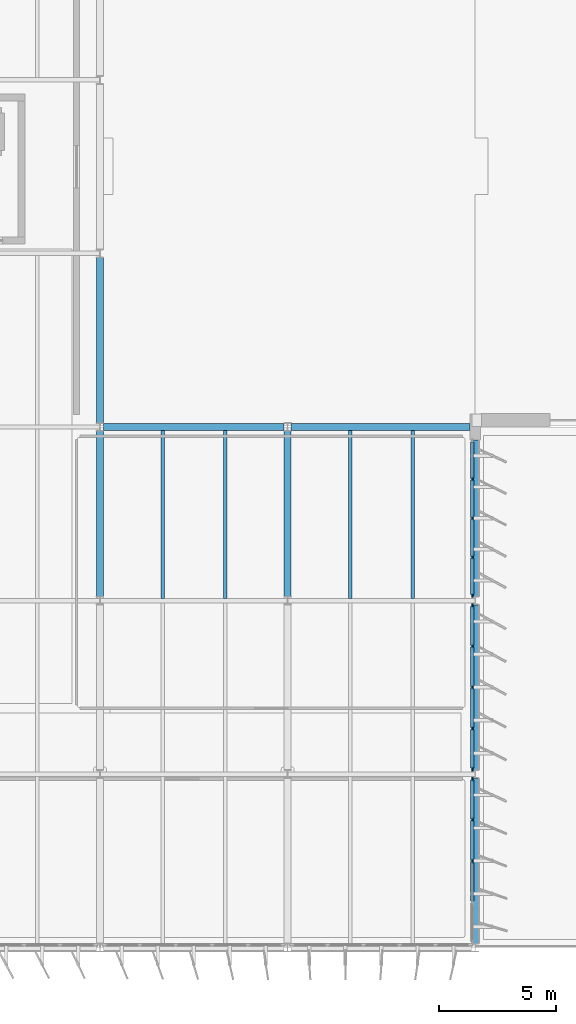
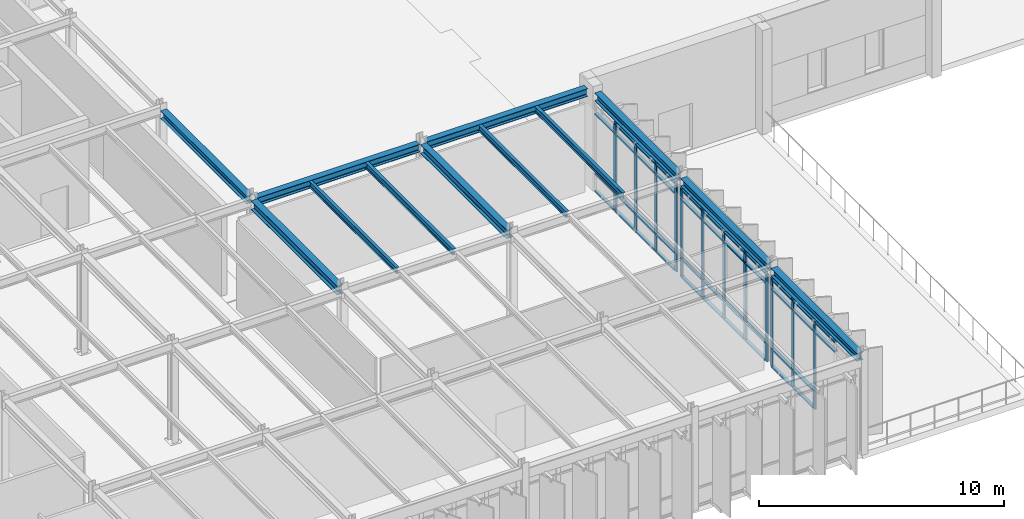
# One storey, part 20 of 48: 53 members, 12 beams, 3 elements without a shape of their own.
"""IFC4 building model written with IfcOpenShell, lengths in metres."""

import ifcopenshell
import ifcopenshell.guid

model = None  # the IFC model being written
_history = None  # IfcOwnerHistory: only IFC2X3 demands one
_inside = {}  # id of a spatial element -> (the spatial element, [elements in it])
_under = {}  # id of a project, library or spatial element -> (it, [spatial elements below it])
_declared = {}  # id of a project -> (the project, [libraries it declares])
_typed = {}  # id of a type object -> (the type object, [elements of that type])
_made_of = {}  # id of a material, layer set ... -> (it, [elements and type objects made of it])


def new_model(schema):
    """Start an empty IFC model of exactly this schema.

    Asked for "IFC4X3", IfcOpenShell would pick the latest addendum, in which some entities
    have other attributes; the version numbers below select the first issue.
    IFC2X3 requires an IfcOwnerHistory on every rooted entity: one is made here for all.
    """
    global model, _history
    if schema == "IFC4X3":
        model = ifcopenshell.file(schema_version=(4, 3, 0, 0))
    else:
        model = ifcopenshell.file(schema=schema)
    _inside.clear()
    _under.clear()
    _declared.clear()
    _typed.clear()
    _made_of.clear()
    _history = None
    if model.schema == "IFC2X3":
        org = make("IfcOrganization", Name="unknown")
        user = make(
            "IfcPersonAndOrganization",
            ThePerson=make("IfcPerson", FamilyName="unknown"),
            TheOrganization=org,
        )
        app = make(
            "IfcApplication",
            ApplicationDeveloper=org,
            Version="unknown",
            ApplicationFullName="unknown",
            ApplicationIdentifier="unknown",
        )
        _history = make(
            "IfcOwnerHistory",
            OwningUser=user,
            OwningApplication=app,
            ChangeAction="ADDED",
            CreationDate=0,
        )
    return model


def make(cls, **values):
    """One entity of the class cls with the attributes given. An attribute that is None is left unset."""
    return model.create_entity(
        cls, **{name: value for name, value in values.items() if value is not None}
    )


def rooted(cls, **values):
    """An entity with a GlobalId (a new one), such as an element, a storey or a relation."""
    return make(cls, GlobalId=ifcopenshell.guid.new(), OwnerHistory=_history, **values)


def si_unit(unit_type, name, prefix=None):
    """IfcSIUnit, for example si_unit("LENGTHUNIT", "METRE", prefix="MILLI")."""
    return make("IfcSIUnit", UnitType=unit_type, Prefix=prefix, Name=name)


def assignment(units):
    """IfcUnitAssignment: the units of a project."""
    return None if units is None else make("IfcUnitAssignment", Units=units)


def point(xyz):
    """IfcCartesianPoint."""
    return None if xyz is None else make("IfcCartesianPoint", Coordinates=xyz)


def direction(xyz):
    """IfcDirection."""
    return None if xyz is None else make("IfcDirection", DirectionRatios=xyz)


def frame(location, z_axis=None, x_axis=None):
    """IfcAxis2Placement3D, a coordinate frame: its origin and axes. An axis left out is left unset."""
    return make(
        "IfcAxis2Placement3D",
        Location=point(location),
        Axis=direction(z_axis),
        RefDirection=direction(x_axis),
    )


def frame_2d(location, x_axis=None):
    """IfcAxis2Placement2D, a coordinate frame in the plane: its origin and x axis."""
    return make(
        "IfcAxis2Placement2D", Location=point(location), RefDirection=direction(x_axis)
    )


def origin():
    """The frame at (0, 0, 0) with its axes left unset."""
    return frame((0.0, 0.0, 0.0))


def origin_2d():
    """The frame at (0, 0) in the plane with its x axis left unset."""
    return frame_2d((0.0, 0.0))


def place(relative_to, where):
    """IfcLocalPlacement: puts the frame where relative to a parent placement (None: the world)."""
    return make(
        "IfcLocalPlacement", PlacementRelTo=relative_to, RelativePlacement=where
    )


def context(
    kind, dimensions, precision=None, world=None, true_north=None, identifier=None
):
    """IfcGeometricRepresentationContext, for example the 3D "Model" context."""
    return make(
        "IfcGeometricRepresentationContext",
        ContextIdentifier=identifier,
        ContextType=kind,
        CoordinateSpaceDimension=dimensions,
        Precision=precision,
        WorldCoordinateSystem=world,
        TrueNorth=true_north,
    )


def subcontext(parent, identifier, kind, view, scale=None):
    """IfcGeometricRepresentationSubContext, for example "Body" below "Model"."""
    return make(
        "IfcGeometricRepresentationSubContext",
        ContextIdentifier=identifier,
        ContextType=kind,
        ParentContext=parent,
        TargetScale=scale,
        TargetView=view,
    )


def project(units=None, contexts=None):
    """IfcProject with its units and contexts."""
    return rooted(
        "IfcProject",
        Name="project",
        RepresentationContexts=contexts,
        UnitsInContext=assignment(units),
    )


def spatial(cls, under=None, at=None, **own):
    """A site, building, storey or space (cls), placed at a placement, below another one or the project."""
    s = rooted(cls, ObjectPlacement=at, **own)
    if under is not None:
        _under.setdefault(under.id(), (under, []))[1].append(s)
    return s


def profile(cls, at=None, kind="AREA", **sizes):
    """A parametric profile (cls). Its sizes go by their IFC names, for example OverallWidth=200.0."""
    return make(cls, ProfileType=kind, Position=at, **sizes)


def rectangle(**sizes):
    """IfcRectangleProfileDef."""
    return profile("IfcRectangleProfileDef", **sizes)


def i_section(**sizes):
    """IfcIShapeProfileDef."""
    return profile("IfcIShapeProfileDef", **sizes)


def extrude(swept, where, along, depth):
    """IfcExtrudedAreaSolid: the profile swept, set in the frame where, extruded along a direction by depth."""
    return make(
        "IfcExtrudedAreaSolid",
        SweptArea=swept,
        Position=where,
        ExtrudedDirection=direction(along),
        Depth=depth,
    )


def shape(context_of_items, identifier, shape_type, items):
    """IfcShapeRepresentation: the items that make up one representation, for example the "Body"."""
    return make(
        "IfcShapeRepresentation",
        ContextOfItems=context_of_items,
        RepresentationIdentifier=identifier,
        RepresentationType=shape_type,
        Items=items,
    )


def material(Name=None, Category=None):
    """IfcMaterial."""
    return make("IfcMaterial", Name=Name, Category=Category)


def layer(
    of_material, thickness, ventilated=None, Name=None, Category=None, Priority=None
):
    """IfcMaterialLayer: one layer of a wall or slab, of a material (None: an air gap)."""
    return make(
        "IfcMaterialLayer",
        Material=of_material,
        LayerThickness=thickness,
        IsVentilated=ventilated,
        Name=Name,
        Category=Category,
        Priority=Priority,
    )


def layer_set(layers, Name=None):
    """IfcMaterialLayerSet."""
    return make("IfcMaterialLayerSet", MaterialLayers=layers, LayerSetName=Name)


def material_profile(
    of_material, cross_section, Name=None, Category=None, Priority=None
):
    """IfcMaterialProfile: a cross section and its material."""
    return make(
        "IfcMaterialProfile",
        Name=Name,
        Material=of_material,
        Profile=cross_section,
        Priority=Priority,
        Category=Category,
    )


def profile_set(profiles, Name=None, composite=None):
    """IfcMaterialProfileSet."""
    return make(
        "IfcMaterialProfileSet",
        Name=Name,
        MaterialProfiles=profiles,
        CompositeProfile=composite,
    )


def made_of(thing, what):
    """Note that an element or type object is made of a material, layer set ...; save() writes the relation."""
    if what is not None:
        _made_of.setdefault(what.id(), (what, []))[1].append(thing)
    return thing


def type_object(cls, material=None, **own):
    """A type object (cls), such as IfcWallType, which elements share."""
    return made_of(rooted(cls, **own), material)


def element(
    cls,
    number,
    at=None,
    inside=None,
    cuts=None,
    type_object=None,
    material=None,
    context=None,
    identifier="Body",
    shape_type=None,
    held_by="IfcProductDefinitionShape",
    body=None,
    shapes=None,
    **own,
):
    """One element of the class cls, such as IfcWall. Its Tag is "e" and its number.

    at: its placement. inside: the storey or other place that contains it. cuts: it is an
    opening in that element (IfcRelVoidsElement). A single representation is given by context,
    identifier, shape_type and body (its items); several are given by shapes. held_by: the class
    of the entity that holds the representations. save() writes the other relations.
    """
    e = rooted(cls, Tag="e%d" % number, ObjectPlacement=at, **own)
    if body is not None:
        shapes = [shape(context, identifier, shape_type, body)]
    if shapes is not None:
        e.Representation = make(held_by, Representations=shapes)
    if inside is not None:
        _inside.setdefault(inside.id(), (inside, []))[1].append(e)
    if cuts is not None:
        rooted(
            "IfcRelVoidsElement", RelatingBuildingElement=cuts, RelatedOpeningElement=e
        )
    if type_object is not None:
        _typed.setdefault(type_object.id(), (type_object, []))[1].append(e)
    return made_of(e, material)


def aggregate(whole, parts):
    """IfcRelAggregates: a whole, such as a stair, and the parts it consists of."""
    return rooted("IfcRelAggregates", RelatingObject=whole, RelatedObjects=parts)


def save(model, path):
    """Write the relations noted so far, then the file.

    IfcRelAggregates (storeys below a building ...), IfcRelContainedInSpatialStructure (elements
    in a storey), IfcRelDefinesByType, IfcRelAssociatesMaterial and IfcRelDeclares: one each for
    every whole, place, type object, material and project.
    """
    for whole, parts in _under.values():
        aggregate(whole, parts)
    for where, things in _inside.values():
        rooted(
            "IfcRelContainedInSpatialStructure",
            RelatedElements=things,
            RelatingStructure=where,
        )
    for kind, things in _typed.values():
        rooted("IfcRelDefinesByType", RelatedObjects=things, RelatingType=kind)
    for what, things in _made_of.values():
        rooted("IfcRelAssociatesMaterial", RelatedObjects=things, RelatingMaterial=what)
    for by, libraries in _declared.values():
        rooted("IfcRelDeclares", RelatingContext=by, RelatedDefinitions=libraries)
    model.write(path)


model = new_model("IFC4")

# Units and contexts
model_context = context("Model", 3, precision=1e-05, world=origin(), true_north=direction((0.0, 1.0)))
body_context = subcontext(model_context, "Body", "Model", "MODEL_VIEW")
ifc_project = project(units=[si_unit("LENGTHUNIT", "METRE"), si_unit("AREAUNIT", "SQUARE_METRE"), si_unit("VOLUMEUNIT", "CUBIC_METRE"), si_unit("PLANEANGLEUNIT", "RADIAN"), si_unit("MASSUNIT", "GRAM", prefix="KILO")], contexts=[model_context])

# Site, building, storey
site_placement = place(None, origin())
site = spatial("IfcSite", under=ifc_project, at=site_placement, CompositionType="ELEMENT")
building_placement = place(site_placement, origin())
building = spatial("IfcBuilding", under=site, at=building_placement, Name="Valkorina Park Police Headquarters", CompositionType="ELEMENT")
storey_placement = place(building_placement, frame((0.0, 0.0, 18.10009765625)))
storey = spatial("IfcBuildingStorey", under=building, at=storey_placement, Name="L05", CompositionType="ELEMENT", Elevation=18.10009765625)

# Beams
ifc_material_1 = material(Name="Steel S355", Category="steel")
ifc_material_profile_1 = material_profile(ifc_material_1, i_section(OverallWidth=0.300048828125, OverallDepth=0.389892578125, WebThickness=0.010986328125, FlangeThickness=0.01904296875, FilletRadius=0.027099609375, at=origin_2d()), Name="HEA 400")
ifc_profile_set_1 = profile_set([ifc_material_profile_1], Name="Steel S355")
beam_type_1 = type_object("IfcBeamType", Name="BM-S355-HEA400-SPN", PredefinedType="SPANDREL", material=ifc_profile_set_1)
beam_1_placement = place(storey_placement, frame((96.949951171875, 59.199951171875, 4.6748046875), z_axis=(1.0, 0.0, 0.0), x_axis=(0.0, 1.0, 0.0)))
element("IfcBeam", 1, at=beam_1_placement, inside=storey, type_object=beam_type_1, Name="L05 Framing Beam 2499", PredefinedType="SPANDREL", context=body_context, shape_type="SweptSolid", body=[
    extrude(i_section(OverallWidth=0.300048828125, OverallDepth=0.389892578125, WebThickness=0.010986328125, FlangeThickness=0.01904296875, FilletRadius=0.027099609375, at=origin_2d()), origin(), (0.0, 0.0, 1.0), 7.699951171875),
])
beam_2_placement = place(storey_placement, frame((104.949951171875, 59.199951171875, 4.6748046875), z_axis=(1.0, 0.0, 0.0), x_axis=(0.0, 1.0, 0.0)))
element("IfcBeam", 2, at=beam_2_placement, inside=storey, type_object=beam_type_1, Name="L05 Framing Beam 2500", PredefinedType="SPANDREL", context=body_context, shape_type="SweptSolid", body=[
    extrude(i_section(OverallWidth=0.300048828125, OverallDepth=0.389892578125, WebThickness=0.010986328125, FlangeThickness=0.01904296875, FilletRadius=0.027099609375, at=origin_2d()), origin(), (0.0, 0.0, 1.0), 7.625),
])
for number, where, z_axis, x_axis, name in (
    (3, (96.800048828125, 59.3798828125, 4.6748046875), (0.0, 1.0, 0.0), (-1.0, 0.0, 0.0), "L05 Framing Beam 2587"),
    (4, (112.800048828125, 37.179931640625, 4.6748046875), (0.0, 1.0, 0.0), (-1.0, 0.0, 0.0), "L05 Framing Beam 2599"),
    (5, (112.800048828125, 44.580078125, 4.6748046875), (0.0, 1.0, 0.0), (-1.0, 0.0, 0.0), "L05 Framing Beam 2600"),
):
    element("IfcBeam", number, at=place(storey_placement, frame(where, z_axis=z_axis, x_axis=x_axis)), inside=storey, type_object=beam_type_1, Name=name, PredefinedType="SPANDREL", context=body_context, shape_type="SweptSolid", body=[
        extrude(i_section(OverallWidth=0.300048828125, OverallDepth=0.389892578125, WebThickness=0.010986328125, FlangeThickness=0.01904296875, FilletRadius=0.027099609375, at=origin_2d()), origin(), (0.0, 0.0, 1.0), 7.0400390625),
    ])
beam_3_placement = place(storey_placement, frame((112.800048828125, 51.97998046875, 4.6748046875), z_axis=(0.0, 1.0, 0.0), x_axis=(-1.0, 0.0, 0.0)))
element("IfcBeam", 6, at=beam_3_placement, inside=storey, type_object=beam_type_1, Name="L05 Framing Beam 2601", PredefinedType="SPANDREL", context=body_context, shape_type="SweptSolid", body=[
    extrude(i_section(OverallWidth=0.300048828125, OverallDepth=0.389892578125, WebThickness=0.010986328125, FlangeThickness=0.01904296875, FilletRadius=0.027099609375, at=origin_2d()), origin(), (0.0, 0.0, 1.0), 6.669921875),
])
ifc_material_profile_2 = material_profile(ifc_material_1, i_section(OverallWidth=0.300048828125, OverallDepth=0.449951171875, WebThickness=0.013916015625, FlangeThickness=0.02587890625, FilletRadius=0.027099609375, at=origin_2d()), Name="HEB 450")
ifc_profile_set_2 = profile_set([ifc_material_profile_2], Name="Steel S355")
beam_type_2 = type_object("IfcBeamType", Name="BM-S355-HEB450-BM", PredefinedType="BEAM", material=ifc_profile_set_2)
for number, where, z_axis, x_axis, name in (
    (7, (96.800048828125, 51.97998046875, 4.64501953125), (0.0, 1.0, 0.0), (-1.0, 0.0, 0.0), "L05 Framing Beam 2584"),
    (8, (104.800048828125, 51.97998046875, 4.64501953125), (0.0, 1.0, 0.0), (-1.0, 0.0, 0.0), "L05 Framing Beam 2596"),
):
    element("IfcBeam", number, at=place(storey_placement, frame(where, z_axis=z_axis, x_axis=x_axis)), inside=storey, type_object=beam_type_2, Name=name, PredefinedType="BEAM", context=body_context, shape_type="SweptSolid", body=[
        extrude(i_section(OverallWidth=0.300048828125, OverallDepth=0.449951171875, WebThickness=0.013916015625, FlangeThickness=0.02587890625, FilletRadius=0.027099609375, at=origin_2d()), origin(), (0.0, 0.0, 1.0), 7.0400390625),
    ])
ifc_material_profile_3 = material_profile(ifc_material_1, i_section(OverallWidth=0.14990234375, OverallDepth=0.300048828125, WebThickness=0.007080078125, FlangeThickness=0.0107421875, FilletRadius=0.014892578125, at=origin_2d()), Name="IPE 300")
ifc_profile_set_3 = profile_set([ifc_material_profile_3], Name="Steel S355")
beam_type_3 = type_object("IfcBeamType", Name="BM-S355-IPE300-JST", PredefinedType="JOIST", material=ifc_profile_set_3)
for number, where, z_axis, x_axis, name in (
    (9, (99.466796875, 51.89501953125, 4.719970703125), (0.0, 1.0, 0.0), (-1.0, 0.0, 0.0), "L05 Framing Beam 2585"),
    (10, (102.13330078125, 51.89501953125, 4.719970703125), (0.0, 1.0, 0.0), (-1.0, 0.0, 0.0), "L05 Framing Beam 2586"),
    (11, (107.466796875, 51.89501953125, 4.719970703125), (0.0, 1.0, 0.0), (-1.0, 0.0, 0.0), "L05 Framing Beam 2597"),
    (12, (110.13330078125, 51.89501953125, 4.719970703125), (0.0, 1.0, 0.0), (-1.0, 0.0, 0.0), "L05 Framing Beam 2598"),
):
    element("IfcBeam", number, at=place(storey_placement, frame(where, z_axis=z_axis, x_axis=x_axis)), inside=storey, type_object=beam_type_3, Name=name, PredefinedType="JOIST", context=body_context, shape_type="SweptSolid", body=[
        extrude(i_section(OverallWidth=0.14990234375, OverallDepth=0.300048828125, WebThickness=0.007080078125, FlangeThickness=0.0107421875, FilletRadius=0.014892578125, at=origin_2d()), origin(), (0.0, 0.0, 1.0), 7.155029296875),
    ])

# Curtain wall, members
ifc_material_2 = material(Name="Thermally broken aluminium AW-6060", Category="aluminium")
ifc_layer_1 = layer(ifc_material_2, 0.18994140625)
ifc_layer_set_1 = layer_set([ifc_layer_1], Name="Thermally broken aluminium AW-6060")
curtain_wall_type_1 = type_object("IfcCurtainWallType", Name="CW-V5-6650x4410", PredefinedType="NOTDEFINED", material=ifc_layer_set_1)
curtain_wall_1_placement = place(storey_placement, origin())
curtain_wall_1 = element("IfcCurtainWall", 13, at=curtain_wall_1_placement, inside=storey, type_object=curtain_wall_type_1, Name="L05 Unitised Curtain Wall 094", PredefinedType="NOTDEFINED")
ifc_material_profile_4 = material_profile(ifc_material_2, rectangle(XDim=0.070068359375, YDim=0.18994140625, at=origin_2d()), Name="CWM-02 70x190")
ifc_profile_set_4 = profile_set([ifc_material_profile_4], Name="Thermally broken aluminium AW-6060")
member_type_1 = type_object("IfcMemberType", Name="CWM-70x190", PredefinedType="MULLION", material=ifc_profile_set_4)
member_1_placement = place(storey_placement, frame((112.679931640625, 56.9775390625, 0.0), z_axis=(0.0, 0.0, 1.0), x_axis=(1.0, 0.0, 0.0)))
member_1 = element("IfcMember", 14, at=member_1_placement, type_object=member_type_1, Name="CW-V5-665-441 mullion 2", PredefinedType="MULLION", context=body_context, shape_type="SweptSolid", body=[
    extrude(rectangle(XDim=0.070068359375, YDim=0.18994140625, at=origin_2d()), origin(), (0.0, 0.0, 1.0), 4.409912109375),
])
member_2_placement = place(storey_placement, frame((112.679931640625, 55.31494140625, 0.0), z_axis=(0.0, 0.0, 1.0), x_axis=(1.0, 0.0, 0.0)))
member_2 = element("IfcMember", 15, at=member_2_placement, type_object=member_type_1, Name="CW-V5-665-441 mullion 3", PredefinedType="MULLION", context=body_context, shape_type="SweptSolid", body=[
    extrude(rectangle(XDim=0.070068359375, YDim=0.18994140625, at=origin_2d()), origin(), (0.0, 0.0, 1.0), 4.409912109375),
])
member_3_placement = place(storey_placement, frame((112.679931640625, 53.652587890625, 0.0), z_axis=(0.0, 0.0, 1.0), x_axis=(1.0, 0.0, 0.0)))
member_3 = element("IfcMember", 16, at=member_3_placement, type_object=member_type_1, Name="CW-V5-665-441 mullion 4", PredefinedType="MULLION", context=body_context, shape_type="SweptSolid", body=[
    extrude(rectangle(XDim=0.070068359375, YDim=0.18994140625, at=origin_2d()), origin(), (0.0, 0.0, 1.0), 4.409912109375),
])
member_4_placement = place(storey_placement, frame((112.679931640625, 52.02490234375, 0.0), z_axis=(0.0, 0.0, 1.0), x_axis=(1.0, 0.0, 0.0)))
member_4 = element("IfcMember", 17, at=member_4_placement, type_object=member_type_1, Name="CW-V5-665-441 mullion 5", PredefinedType="MULLION", context=body_context, shape_type="SweptSolid", body=[
    extrude(rectangle(XDim=0.070068359375, YDim=0.18994140625, at=origin_2d()), origin(), (0.0, 0.0, 1.0), 4.409912109375),
])

ifc_layer_2 = layer(ifc_material_2, 0.18994140625)
ifc_layer_set_2 = layer_set([ifc_layer_2], Name="Thermally broken aluminium AW-6060")
curtain_wall_type_2 = type_object("IfcCurtainWallType", Name="CW-V5-7020x4410", PredefinedType="NOTDEFINED", material=ifc_layer_set_2)
curtain_wall_2_placement = place(storey_placement, origin())
curtain_wall_2 = element("IfcCurtainWall", 18, at=curtain_wall_2_placement, inside=storey, type_object=curtain_wall_type_2, Name="L05 Unitised Curtain Wall 095", PredefinedType="NOTDEFINED")
member_5_placement = place(storey_placement, frame((112.679931640625, 51.574951171875, 0.0), z_axis=(0.0, 0.0, 1.0), x_axis=(1.0, 0.0, 0.0)))
member_5 = element("IfcMember", 19, at=member_5_placement, type_object=member_type_1, Name="CW-V5-702-441 mullion 1", PredefinedType="MULLION", context=body_context, shape_type="SweptSolid", body=[
    extrude(rectangle(XDim=0.070068359375, YDim=0.18994140625, at=origin_2d()), origin(), (0.0, 0.0, 1.0), 4.409912109375),
])
member_6_placement = place(storey_placement, frame((112.679931640625, 49.85498046875, 0.0), z_axis=(0.0, 0.0, 1.0), x_axis=(1.0, 0.0, 0.0)))
member_6 = element("IfcMember", 20, at=member_6_placement, type_object=member_type_1, Name="CW-V5-702-441 mullion 2", PredefinedType="MULLION", context=body_context, shape_type="SweptSolid", body=[
    extrude(rectangle(XDim=0.070068359375, YDim=0.18994140625, at=origin_2d()), origin(), (0.0, 0.0, 1.0), 4.409912109375),
])
member_7_placement = place(storey_placement, frame((112.679931640625, 48.10009765625, 0.0), z_axis=(0.0, 0.0, 1.0), x_axis=(1.0, 0.0, 0.0)))
member_7 = element("IfcMember", 21, at=member_7_placement, type_object=member_type_1, Name="CW-V5-702-441 mullion 3", PredefinedType="MULLION", context=body_context, shape_type="SweptSolid", body=[
    extrude(rectangle(XDim=0.070068359375, YDim=0.18994140625, at=origin_2d()), origin(), (0.0, 0.0, 1.0), 4.409912109375),
])
member_8_placement = place(storey_placement, frame((112.679931640625, 46.344970703125, 0.0), z_axis=(0.0, 0.0, 1.0), x_axis=(1.0, 0.0, 0.0)))
member_8 = element("IfcMember", 22, at=member_8_placement, type_object=member_type_1, Name="CW-V5-702-441 mullion 4", PredefinedType="MULLION", context=body_context, shape_type="SweptSolid", body=[
    extrude(rectangle(XDim=0.070068359375, YDim=0.18994140625, at=origin_2d()), origin(), (0.0, 0.0, 1.0), 4.409912109375),
])
member_9_placement = place(storey_placement, frame((112.679931640625, 44.625, 0.0), z_axis=(0.0, 0.0, 1.0), x_axis=(1.0, 0.0, 0.0)))
member_9 = element("IfcMember", 23, at=member_9_placement, type_object=member_type_1, Name="CW-V5-702-441 mullion 5", PredefinedType="MULLION", context=body_context, shape_type="SweptSolid", body=[
    extrude(rectangle(XDim=0.070068359375, YDim=0.18994140625, at=origin_2d()), origin(), (0.0, 0.0, 1.0), 4.409912109375),
])

curtain_wall_3_placement = place(storey_placement, origin())
curtain_wall_3 = element("IfcCurtainWall", 24, at=curtain_wall_3_placement, inside=storey, type_object=curtain_wall_type_2, Name="L05 Unitised Curtain Wall 096", PredefinedType="NOTDEFINED")
member_10_placement = place(storey_placement, frame((112.679931640625, 44.175048828125, 0.0), z_axis=(0.0, 0.0, 1.0), x_axis=(1.0, 0.0, 0.0)))
member_10 = element("IfcMember", 25, at=member_10_placement, type_object=member_type_1, Name="CW-V5-702-441 mullion 1", PredefinedType="MULLION", context=body_context, shape_type="SweptSolid", body=[
    extrude(rectangle(XDim=0.070068359375, YDim=0.18994140625, at=origin_2d()), origin(), (0.0, 0.0, 1.0), 4.409912109375),
])
member_11_placement = place(storey_placement, frame((112.679931640625, 42.455078125, 0.0), z_axis=(0.0, 0.0, 1.0), x_axis=(1.0, 0.0, 0.0)))
member_11 = element("IfcMember", 26, at=member_11_placement, type_object=member_type_1, Name="CW-V5-702-441 mullion 2", PredefinedType="MULLION", context=body_context, shape_type="SweptSolid", body=[
    extrude(rectangle(XDim=0.070068359375, YDim=0.18994140625, at=origin_2d()), origin(), (0.0, 0.0, 1.0), 4.409912109375),
])
member_12_placement = place(storey_placement, frame((112.679931640625, 40.699951171875, 0.0), z_axis=(0.0, 0.0, 1.0), x_axis=(1.0, 0.0, 0.0)))
member_12 = element("IfcMember", 27, at=member_12_placement, type_object=member_type_1, Name="CW-V5-702-441 mullion 3", PredefinedType="MULLION", context=body_context, shape_type="SweptSolid", body=[
    extrude(rectangle(XDim=0.070068359375, YDim=0.18994140625, at=origin_2d()), origin(), (0.0, 0.0, 1.0), 4.409912109375),
])

# Member
ifc_material_profile_5 = material_profile(ifc_material_2, rectangle(XDim=0.14990234375, YDim=0.070068359375, at=origin_2d()), Name="CWT-02 150x70")
ifc_profile_set_5 = profile_set([ifc_material_profile_5], Name="Thermally broken aluminium AW-6060")
member_type_2 = type_object("IfcMemberType", Name="CWT-150x70", PredefinedType="USERDEFINED", material=ifc_profile_set_5)
member_13_placement = place(storey_placement, frame((112.679931640625, 58.570068359375, 0.034912109375), z_axis=(0.0, -1.0, 0.0), x_axis=(1.0, 0.0, 0.0)))
member_13 = element("IfcMember", 28, at=member_13_placement, type_object=member_type_2, Name="CW-V5-665-441 transom 1.1", ObjectType="TRANSOM", PredefinedType="USERDEFINED", context=body_context, shape_type="SweptSolid", body=[
    extrude(rectangle(XDim=0.14990234375, YDim=0.070068359375, at=origin_2d()), origin(), (0.0, 0.0, 1.0), 1.5576171875),
])

member_14_placement = place(storey_placement, frame((112.679931640625, 58.570068359375, 0.89990234375), z_axis=(0.0, -1.0, 0.0), x_axis=(1.0, 0.0, 0.0)))
member_14 = element("IfcMember", 29, at=member_14_placement, type_object=member_type_2, Name="CW-V5-665-441 transom 1.2", ObjectType="TRANSOM", PredefinedType="USERDEFINED", context=body_context, shape_type="SweptSolid", body=[
    extrude(rectangle(XDim=0.14990234375, YDim=0.070068359375, at=origin_2d()), origin(), (0.0, 0.0, 1.0), 1.5576171875),
])

member_15_placement = place(storey_placement, frame((112.679931640625, 58.570068359375, 3.889892578125), z_axis=(0.0, -1.0, 0.0), x_axis=(1.0, 0.0, 0.0)))
member_15 = element("IfcMember", 30, at=member_15_placement, type_object=member_type_2, Name="CW-V5-665-441 transom 1.3", ObjectType="TRANSOM", PredefinedType="USERDEFINED", context=body_context, shape_type="SweptSolid", body=[
    extrude(rectangle(XDim=0.14990234375, YDim=0.070068359375, at=origin_2d()), origin(), (0.0, 0.0, 1.0), 1.5576171875),
])

member_16_placement = place(storey_placement, frame((112.679931640625, 56.9423828125, 0.034912109375), z_axis=(0.0, -1.0, 0.0), x_axis=(1.0, 0.0, 0.0)))
member_16 = element("IfcMember", 31, at=member_16_placement, type_object=member_type_2, Name="CW-V5-665-441 transom 2.1", ObjectType="TRANSOM", PredefinedType="USERDEFINED", context=body_context, shape_type="SweptSolid", body=[
    extrude(rectangle(XDim=0.14990234375, YDim=0.070068359375, at=origin_2d()), origin(), (0.0, 0.0, 1.0), 1.59228515625),
])

member_17_placement = place(storey_placement, frame((112.679931640625, 56.9423828125, 0.89990234375), z_axis=(0.0, -1.0, 0.0), x_axis=(1.0, 0.0, 0.0)))
member_17 = element("IfcMember", 32, at=member_17_placement, type_object=member_type_2, Name="CW-V5-665-441 transom 2.2", ObjectType="TRANSOM", PredefinedType="USERDEFINED", context=body_context, shape_type="SweptSolid", body=[
    extrude(rectangle(XDim=0.14990234375, YDim=0.070068359375, at=origin_2d()), origin(), (0.0, 0.0, 1.0), 1.59228515625),
])

member_18_placement = place(storey_placement, frame((112.679931640625, 56.9423828125, 3.889892578125), z_axis=(0.0, -1.0, 0.0), x_axis=(1.0, 0.0, 0.0)))
member_18 = element("IfcMember", 33, at=member_18_placement, type_object=member_type_2, Name="CW-V5-665-441 transom 2.3", ObjectType="TRANSOM", PredefinedType="USERDEFINED", context=body_context, shape_type="SweptSolid", body=[
    extrude(rectangle(XDim=0.14990234375, YDim=0.070068359375, at=origin_2d()), origin(), (0.0, 0.0, 1.0), 1.59228515625),
])

member_19_placement = place(storey_placement, frame((112.679931640625, 56.9423828125, 4.375), z_axis=(0.0, -1.0, 0.0), x_axis=(1.0, 0.0, 0.0)))
member_19 = element("IfcMember", 34, at=member_19_placement, type_object=member_type_2, Name="CW-V5-665-441 transom 2.4", ObjectType="TRANSOM", PredefinedType="USERDEFINED", context=body_context, shape_type="SweptSolid", body=[
    extrude(rectangle(XDim=0.14990234375, YDim=0.070068359375, at=origin_2d()), origin(), (0.0, 0.0, 1.0), 1.59228515625),
])

member_20_placement = place(storey_placement, frame((112.679931640625, 55.280029296875, 0.034912109375), z_axis=(0.0, -1.0, 0.0), x_axis=(1.0, 0.0, 0.0)))
member_20 = element("IfcMember", 35, at=member_20_placement, type_object=member_type_2, Name="CW-V5-665-441 transom 3.1", ObjectType="TRANSOM", PredefinedType="USERDEFINED", context=body_context, shape_type="SweptSolid", body=[
    extrude(rectangle(XDim=0.14990234375, YDim=0.070068359375, at=origin_2d()), origin(), (0.0, 0.0, 1.0), 1.592529296875),
])

member_21_placement = place(storey_placement, frame((112.679931640625, 55.280029296875, 0.89990234375), z_axis=(0.0, -1.0, 0.0), x_axis=(1.0, 0.0, 0.0)))
member_21 = element("IfcMember", 36, at=member_21_placement, type_object=member_type_2, Name="CW-V5-665-441 transom 3.2", ObjectType="TRANSOM", PredefinedType="USERDEFINED", context=body_context, shape_type="SweptSolid", body=[
    extrude(rectangle(XDim=0.14990234375, YDim=0.070068359375, at=origin_2d()), origin(), (0.0, 0.0, 1.0), 1.592529296875),
])

member_22_placement = place(storey_placement, frame((112.679931640625, 55.280029296875, 3.889892578125), z_axis=(0.0, -1.0, 0.0), x_axis=(1.0, 0.0, 0.0)))
member_22 = element("IfcMember", 37, at=member_22_placement, type_object=member_type_2, Name="CW-V5-665-441 transom 3.3", ObjectType="TRANSOM", PredefinedType="USERDEFINED", context=body_context, shape_type="SweptSolid", body=[
    extrude(rectangle(XDim=0.14990234375, YDim=0.070068359375, at=origin_2d()), origin(), (0.0, 0.0, 1.0), 1.592529296875),
])

member_23_placement = place(storey_placement, frame((112.679931640625, 55.280029296875, 4.375), z_axis=(0.0, -1.0, 0.0), x_axis=(1.0, 0.0, 0.0)))
member_23 = element("IfcMember", 38, at=member_23_placement, type_object=member_type_2, Name="CW-V5-665-441 transom 3.4", ObjectType="TRANSOM", PredefinedType="USERDEFINED", context=body_context, shape_type="SweptSolid", body=[
    extrude(rectangle(XDim=0.14990234375, YDim=0.070068359375, at=origin_2d()), origin(), (0.0, 0.0, 1.0), 1.592529296875),
])

member_24_placement = place(storey_placement, frame((112.679931640625, 53.617431640625, 0.034912109375), z_axis=(0.0, -1.0, 0.0), x_axis=(1.0, 0.0, 0.0)))
member_24 = element("IfcMember", 39, at=member_24_placement, type_object=member_type_2, Name="CW-V5-665-441 transom 4.1", ObjectType="TRANSOM", PredefinedType="USERDEFINED", context=body_context, shape_type="SweptSolid", body=[
    extrude(rectangle(XDim=0.14990234375, YDim=0.070068359375, at=origin_2d()), origin(), (0.0, 0.0, 1.0), 1.557373046875),
])

member_25_placement = place(storey_placement, frame((112.679931640625, 53.617431640625, 0.89990234375), z_axis=(0.0, -1.0, 0.0), x_axis=(1.0, 0.0, 0.0)))
member_25 = element("IfcMember", 40, at=member_25_placement, type_object=member_type_2, Name="CW-V5-665-441 transom 4.2", ObjectType="TRANSOM", PredefinedType="USERDEFINED", context=body_context, shape_type="SweptSolid", body=[
    extrude(rectangle(XDim=0.14990234375, YDim=0.070068359375, at=origin_2d()), origin(), (0.0, 0.0, 1.0), 1.557373046875),
])

member_26_placement = place(storey_placement, frame((112.679931640625, 53.617431640625, 3.889892578125), z_axis=(0.0, -1.0, 0.0), x_axis=(1.0, 0.0, 0.0)))
member_26 = element("IfcMember", 41, at=member_26_placement, type_object=member_type_2, Name="CW-V5-665-441 transom 4.3", ObjectType="TRANSOM", PredefinedType="USERDEFINED", context=body_context, shape_type="SweptSolid", body=[
    extrude(rectangle(XDim=0.14990234375, YDim=0.070068359375, at=origin_2d()), origin(), (0.0, 0.0, 1.0), 1.557373046875),
])

member_27_placement = place(storey_placement, frame((112.679931640625, 53.617431640625, 4.375), z_axis=(0.0, -1.0, 0.0), x_axis=(1.0, 0.0, 0.0)))
member_27 = element("IfcMember", 42, at=member_27_placement, type_object=member_type_2, Name="CW-V5-665-441 transom 4.4", ObjectType="TRANSOM", PredefinedType="USERDEFINED", context=body_context, shape_type="SweptSolid", body=[
    extrude(rectangle(XDim=0.14990234375, YDim=0.070068359375, at=origin_2d()), origin(), (0.0, 0.0, 1.0), 1.557373046875),
])

aggregate(curtain_wall_1, [member_1, member_2, member_3, member_4, member_13, member_14, member_15, member_16, member_17, member_18, member_19, member_20, member_21, member_22, member_23, member_24, member_25, member_26, member_27])

member_28_placement = place(storey_placement, frame((112.679931640625, 51.5400390625, 0.034912109375), z_axis=(0.0, -1.0, 0.0), x_axis=(1.0, 0.0, 0.0)))
member_28 = element("IfcMember", 43, at=member_28_placement, type_object=member_type_2, Name="CW-V5-702-441 transom 1.1", ObjectType="TRANSOM", PredefinedType="USERDEFINED", context=body_context, shape_type="SweptSolid", body=[
    extrude(rectangle(XDim=0.14990234375, YDim=0.070068359375, at=origin_2d()), origin(), (0.0, 0.0, 1.0), 1.650146484375),
])

member_29_placement = place(storey_placement, frame((112.679931640625, 51.5400390625, 0.89990234375), z_axis=(0.0, -1.0, 0.0), x_axis=(1.0, 0.0, 0.0)))
member_29 = element("IfcMember", 44, at=member_29_placement, type_object=member_type_2, Name="CW-V5-702-441 transom 1.2", ObjectType="TRANSOM", PredefinedType="USERDEFINED", context=body_context, shape_type="SweptSolid", body=[
    extrude(rectangle(XDim=0.14990234375, YDim=0.070068359375, at=origin_2d()), origin(), (0.0, 0.0, 1.0), 1.650146484375),
])

member_30_placement = place(storey_placement, frame((112.679931640625, 51.5400390625, 3.889892578125), z_axis=(0.0, -1.0, 0.0), x_axis=(1.0, 0.0, 0.0)))
member_30 = element("IfcMember", 45, at=member_30_placement, type_object=member_type_2, Name="CW-V5-702-441 transom 1.3", ObjectType="TRANSOM", PredefinedType="USERDEFINED", context=body_context, shape_type="SweptSolid", body=[
    extrude(rectangle(XDim=0.14990234375, YDim=0.070068359375, at=origin_2d()), origin(), (0.0, 0.0, 1.0), 1.650146484375),
])

member_31_placement = place(storey_placement, frame((112.679931640625, 51.5400390625, 4.375), z_axis=(0.0, -1.0, 0.0), x_axis=(1.0, 0.0, 0.0)))
member_31 = element("IfcMember", 46, at=member_31_placement, type_object=member_type_2, Name="CW-V5-702-441 transom 1.4", ObjectType="TRANSOM", PredefinedType="USERDEFINED", context=body_context, shape_type="SweptSolid", body=[
    extrude(rectangle(XDim=0.14990234375, YDim=0.070068359375, at=origin_2d()), origin(), (0.0, 0.0, 1.0), 1.650146484375),
])

member_32_placement = place(storey_placement, frame((112.679931640625, 49.820068359375, 0.034912109375), z_axis=(0.0, -1.0, 0.0), x_axis=(1.0, 0.0, 0.0)))
member_32 = element("IfcMember", 47, at=member_32_placement, type_object=member_type_2, Name="CW-V5-702-441 transom 2.1", ObjectType="TRANSOM", PredefinedType="USERDEFINED", context=body_context, shape_type="SweptSolid", body=[
    extrude(rectangle(XDim=0.14990234375, YDim=0.070068359375, at=origin_2d()), origin(), (0.0, 0.0, 1.0), 1.68505859375),
])

member_33_placement = place(storey_placement, frame((112.679931640625, 49.820068359375, 0.89990234375), z_axis=(0.0, -1.0, 0.0), x_axis=(1.0, 0.0, 0.0)))
member_33 = element("IfcMember", 48, at=member_33_placement, type_object=member_type_2, Name="CW-V5-702-441 transom 2.2", ObjectType="TRANSOM", PredefinedType="USERDEFINED", context=body_context, shape_type="SweptSolid", body=[
    extrude(rectangle(XDim=0.14990234375, YDim=0.070068359375, at=origin_2d()), origin(), (0.0, 0.0, 1.0), 1.68505859375),
])

member_34_placement = place(storey_placement, frame((112.679931640625, 49.820068359375, 3.889892578125), z_axis=(0.0, -1.0, 0.0), x_axis=(1.0, 0.0, 0.0)))
member_34 = element("IfcMember", 49, at=member_34_placement, type_object=member_type_2, Name="CW-V5-702-441 transom 2.3", ObjectType="TRANSOM", PredefinedType="USERDEFINED", context=body_context, shape_type="SweptSolid", body=[
    extrude(rectangle(XDim=0.14990234375, YDim=0.070068359375, at=origin_2d()), origin(), (0.0, 0.0, 1.0), 1.68505859375),
])

member_35_placement = place(storey_placement, frame((112.679931640625, 49.820068359375, 4.375), z_axis=(0.0, -1.0, 0.0), x_axis=(1.0, 0.0, 0.0)))
member_35 = element("IfcMember", 50, at=member_35_placement, type_object=member_type_2, Name="CW-V5-702-441 transom 2.4", ObjectType="TRANSOM", PredefinedType="USERDEFINED", context=body_context, shape_type="SweptSolid", body=[
    extrude(rectangle(XDim=0.14990234375, YDim=0.070068359375, at=origin_2d()), origin(), (0.0, 0.0, 1.0), 1.68505859375),
])

member_36_placement = place(storey_placement, frame((112.679931640625, 48.06494140625, 0.034912109375), z_axis=(0.0, -1.0, 0.0), x_axis=(1.0, 0.0, 0.0)))
member_36 = element("IfcMember", 51, at=member_36_placement, type_object=member_type_2, Name="CW-V5-702-441 transom 3.1", ObjectType="TRANSOM", PredefinedType="USERDEFINED", context=body_context, shape_type="SweptSolid", body=[
    extrude(rectangle(XDim=0.14990234375, YDim=0.070068359375, at=origin_2d()), origin(), (0.0, 0.0, 1.0), 1.68505859375),
])

member_37_placement = place(storey_placement, frame((112.679931640625, 48.06494140625, 0.89990234375), z_axis=(0.0, -1.0, 0.0), x_axis=(1.0, 0.0, 0.0)))
member_37 = element("IfcMember", 52, at=member_37_placement, type_object=member_type_2, Name="CW-V5-702-441 transom 3.2", ObjectType="TRANSOM", PredefinedType="USERDEFINED", context=body_context, shape_type="SweptSolid", body=[
    extrude(rectangle(XDim=0.14990234375, YDim=0.070068359375, at=origin_2d()), origin(), (0.0, 0.0, 1.0), 1.68505859375),
])

member_38_placement = place(storey_placement, frame((112.679931640625, 48.06494140625, 3.889892578125), z_axis=(0.0, -1.0, 0.0), x_axis=(1.0, 0.0, 0.0)))
member_38 = element("IfcMember", 53, at=member_38_placement, type_object=member_type_2, Name="CW-V5-702-441 transom 3.3", ObjectType="TRANSOM", PredefinedType="USERDEFINED", context=body_context, shape_type="SweptSolid", body=[
    extrude(rectangle(XDim=0.14990234375, YDim=0.070068359375, at=origin_2d()), origin(), (0.0, 0.0, 1.0), 1.68505859375),
])

member_39_placement = place(storey_placement, frame((112.679931640625, 48.06494140625, 4.375), z_axis=(0.0, -1.0, 0.0), x_axis=(1.0, 0.0, 0.0)))
member_39 = element("IfcMember", 54, at=member_39_placement, type_object=member_type_2, Name="CW-V5-702-441 transom 3.4", ObjectType="TRANSOM", PredefinedType="USERDEFINED", context=body_context, shape_type="SweptSolid", body=[
    extrude(rectangle(XDim=0.14990234375, YDim=0.070068359375, at=origin_2d()), origin(), (0.0, 0.0, 1.0), 1.68505859375),
])

member_40_placement = place(storey_placement, frame((112.679931640625, 46.31005859375, 0.034912109375), z_axis=(0.0, -1.0, 0.0), x_axis=(1.0, 0.0, 0.0)))
member_40 = element("IfcMember", 55, at=member_40_placement, type_object=member_type_2, Name="CW-V5-702-441 transom 4.1", ObjectType="TRANSOM", PredefinedType="USERDEFINED", context=body_context, shape_type="SweptSolid", body=[
    extrude(rectangle(XDim=0.14990234375, YDim=0.070068359375, at=origin_2d()), origin(), (0.0, 0.0, 1.0), 1.650146484375),
])

member_41_placement = place(storey_placement, frame((112.679931640625, 46.31005859375, 0.89990234375), z_axis=(0.0, -1.0, 0.0), x_axis=(1.0, 0.0, 0.0)))
member_41 = element("IfcMember", 56, at=member_41_placement, type_object=member_type_2, Name="CW-V5-702-441 transom 4.2", ObjectType="TRANSOM", PredefinedType="USERDEFINED", context=body_context, shape_type="SweptSolid", body=[
    extrude(rectangle(XDim=0.14990234375, YDim=0.070068359375, at=origin_2d()), origin(), (0.0, 0.0, 1.0), 1.650146484375),
])

member_42_placement = place(storey_placement, frame((112.679931640625, 46.31005859375, 3.889892578125), z_axis=(0.0, -1.0, 0.0), x_axis=(1.0, 0.0, 0.0)))
member_42 = element("IfcMember", 57, at=member_42_placement, type_object=member_type_2, Name="CW-V5-702-441 transom 4.3", ObjectType="TRANSOM", PredefinedType="USERDEFINED", context=body_context, shape_type="SweptSolid", body=[
    extrude(rectangle(XDim=0.14990234375, YDim=0.070068359375, at=origin_2d()), origin(), (0.0, 0.0, 1.0), 1.650146484375),
])

member_43_placement = place(storey_placement, frame((112.679931640625, 46.31005859375, 4.375), z_axis=(0.0, -1.0, 0.0), x_axis=(1.0, 0.0, 0.0)))
member_43 = element("IfcMember", 58, at=member_43_placement, type_object=member_type_2, Name="CW-V5-702-441 transom 4.4", ObjectType="TRANSOM", PredefinedType="USERDEFINED", context=body_context, shape_type="SweptSolid", body=[
    extrude(rectangle(XDim=0.14990234375, YDim=0.070068359375, at=origin_2d()), origin(), (0.0, 0.0, 1.0), 1.650146484375),
])

aggregate(curtain_wall_2, [member_5, member_6, member_7, member_8, member_9, member_28, member_29, member_30, member_31, member_32, member_33, member_34, member_35, member_36, member_37, member_38, member_39, member_40, member_41, member_42, member_43])

member_44_placement = place(storey_placement, frame((112.679931640625, 44.139892578125, 0.034912109375), z_axis=(0.0, -1.0, 0.0), x_axis=(1.0, 0.0, 0.0)))
member_44 = element("IfcMember", 59, at=member_44_placement, type_object=member_type_2, Name="CW-V5-702-441 transom 1.1", ObjectType="TRANSOM", PredefinedType="USERDEFINED", context=body_context, shape_type="SweptSolid", body=[
    extrude(rectangle(XDim=0.14990234375, YDim=0.070068359375, at=origin_2d()), origin(), (0.0, 0.0, 1.0), 1.64990234375),
])

member_45_placement = place(storey_placement, frame((112.679931640625, 44.139892578125, 0.89990234375), z_axis=(0.0, -1.0, 0.0), x_axis=(1.0, 0.0, 0.0)))
member_45 = element("IfcMember", 60, at=member_45_placement, type_object=member_type_2, Name="CW-V5-702-441 transom 1.2", ObjectType="TRANSOM", PredefinedType="USERDEFINED", context=body_context, shape_type="SweptSolid", body=[
    extrude(rectangle(XDim=0.14990234375, YDim=0.070068359375, at=origin_2d()), origin(), (0.0, 0.0, 1.0), 1.64990234375),
])

member_46_placement = place(storey_placement, frame((112.679931640625, 44.139892578125, 3.889892578125), z_axis=(0.0, -1.0, 0.0), x_axis=(1.0, 0.0, 0.0)))
member_46 = element("IfcMember", 61, at=member_46_placement, type_object=member_type_2, Name="CW-V5-702-441 transom 1.3", ObjectType="TRANSOM", PredefinedType="USERDEFINED", context=body_context, shape_type="SweptSolid", body=[
    extrude(rectangle(XDim=0.14990234375, YDim=0.070068359375, at=origin_2d()), origin(), (0.0, 0.0, 1.0), 1.64990234375),
])

member_47_placement = place(storey_placement, frame((112.679931640625, 44.139892578125, 4.375), z_axis=(0.0, -1.0, 0.0), x_axis=(1.0, 0.0, 0.0)))
member_47 = element("IfcMember", 62, at=member_47_placement, type_object=member_type_2, Name="CW-V5-702-441 transom 1.4", ObjectType="TRANSOM", PredefinedType="USERDEFINED", context=body_context, shape_type="SweptSolid", body=[
    extrude(rectangle(XDim=0.14990234375, YDim=0.070068359375, at=origin_2d()), origin(), (0.0, 0.0, 1.0), 1.64990234375),
])

member_48_placement = place(storey_placement, frame((112.679931640625, 42.419921875, 0.034912109375), z_axis=(0.0, -1.0, 0.0), x_axis=(1.0, 0.0, 0.0)))
member_48 = element("IfcMember", 63, at=member_48_placement, type_object=member_type_2, Name="CW-V5-702-441 transom 2.1", ObjectType="TRANSOM", PredefinedType="USERDEFINED", context=body_context, shape_type="SweptSolid", body=[
    extrude(rectangle(XDim=0.14990234375, YDim=0.070068359375, at=origin_2d()), origin(), (0.0, 0.0, 1.0), 1.684814453125),
])

member_49_placement = place(storey_placement, frame((112.679931640625, 42.419921875, 0.89990234375), z_axis=(0.0, -1.0, 0.0), x_axis=(1.0, 0.0, 0.0)))
member_49 = element("IfcMember", 64, at=member_49_placement, type_object=member_type_2, Name="CW-V5-702-441 transom 2.2", ObjectType="TRANSOM", PredefinedType="USERDEFINED", context=body_context, shape_type="SweptSolid", body=[
    extrude(rectangle(XDim=0.14990234375, YDim=0.070068359375, at=origin_2d()), origin(), (0.0, 0.0, 1.0), 1.684814453125),
])

member_50_placement = place(storey_placement, frame((112.679931640625, 42.419921875, 3.889892578125), z_axis=(0.0, -1.0, 0.0), x_axis=(1.0, 0.0, 0.0)))
member_50 = element("IfcMember", 65, at=member_50_placement, type_object=member_type_2, Name="CW-V5-702-441 transom 2.3", ObjectType="TRANSOM", PredefinedType="USERDEFINED", context=body_context, shape_type="SweptSolid", body=[
    extrude(rectangle(XDim=0.14990234375, YDim=0.070068359375, at=origin_2d()), origin(), (0.0, 0.0, 1.0), 1.684814453125),
])

member_51_placement = place(storey_placement, frame((112.679931640625, 42.419921875, 4.375), z_axis=(0.0, -1.0, 0.0), x_axis=(1.0, 0.0, 0.0)))
member_51 = element("IfcMember", 66, at=member_51_placement, type_object=member_type_2, Name="CW-V5-702-441 transom 2.4", ObjectType="TRANSOM", PredefinedType="USERDEFINED", context=body_context, shape_type="SweptSolid", body=[
    extrude(rectangle(XDim=0.14990234375, YDim=0.070068359375, at=origin_2d()), origin(), (0.0, 0.0, 1.0), 1.684814453125),
])

member_52_placement = place(storey_placement, frame((112.679931640625, 40.6650390625, 3.889892578125), z_axis=(0.0, -1.0, 0.0), x_axis=(1.0, 0.0, 0.0)))
member_52 = element("IfcMember", 67, at=member_52_placement, type_object=member_type_2, Name="CW-V5-702-441 transom 3.3", ObjectType="TRANSOM", PredefinedType="USERDEFINED", context=body_context, shape_type="SweptSolid", body=[
    extrude(rectangle(XDim=0.14990234375, YDim=0.070068359375, at=origin_2d()), origin(), (0.0, 0.0, 1.0), 1.68505859375),
])

member_53_placement = place(storey_placement, frame((112.679931640625, 40.6650390625, 4.375), z_axis=(0.0, -1.0, 0.0), x_axis=(1.0, 0.0, 0.0)))
member_53 = element("IfcMember", 68, at=member_53_placement, type_object=member_type_2, Name="CW-V5-702-441 transom 3.4", ObjectType="TRANSOM", PredefinedType="USERDEFINED", context=body_context, shape_type="SweptSolid", body=[
    extrude(rectangle(XDim=0.14990234375, YDim=0.070068359375, at=origin_2d()), origin(), (0.0, 0.0, 1.0), 1.68505859375),
])

aggregate(curtain_wall_3, [member_10, member_11, member_12, member_44, member_45, member_46, member_47, member_48, member_49, member_50, member_51, member_52, member_53])

save(model, "model.ifc")
